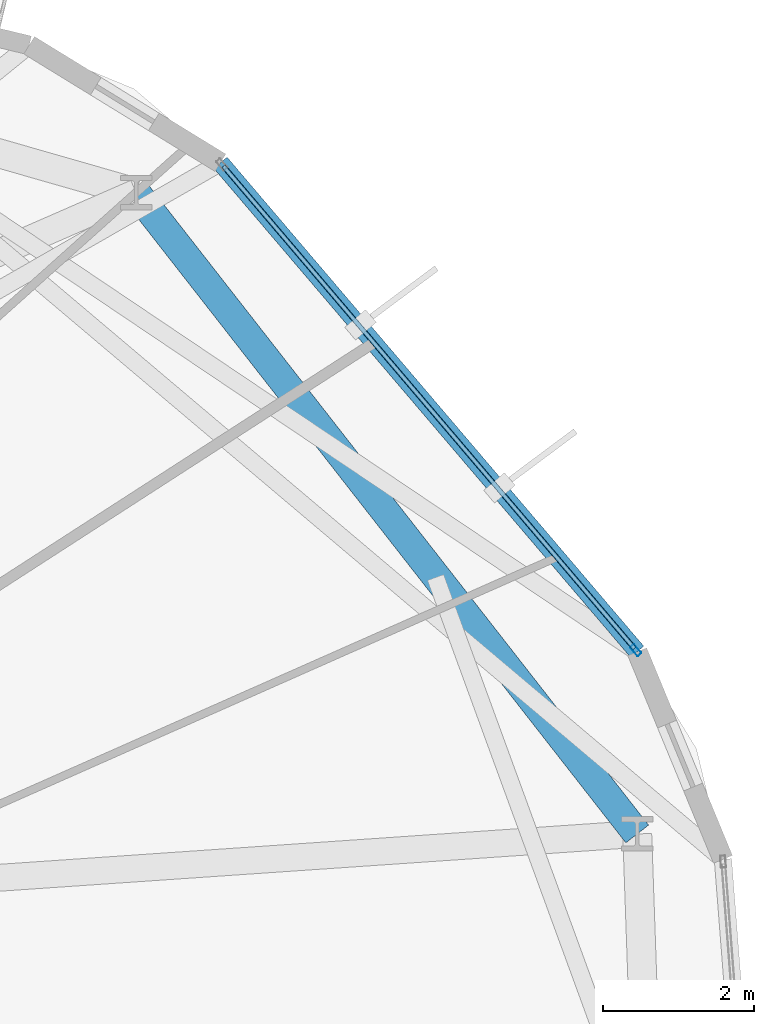
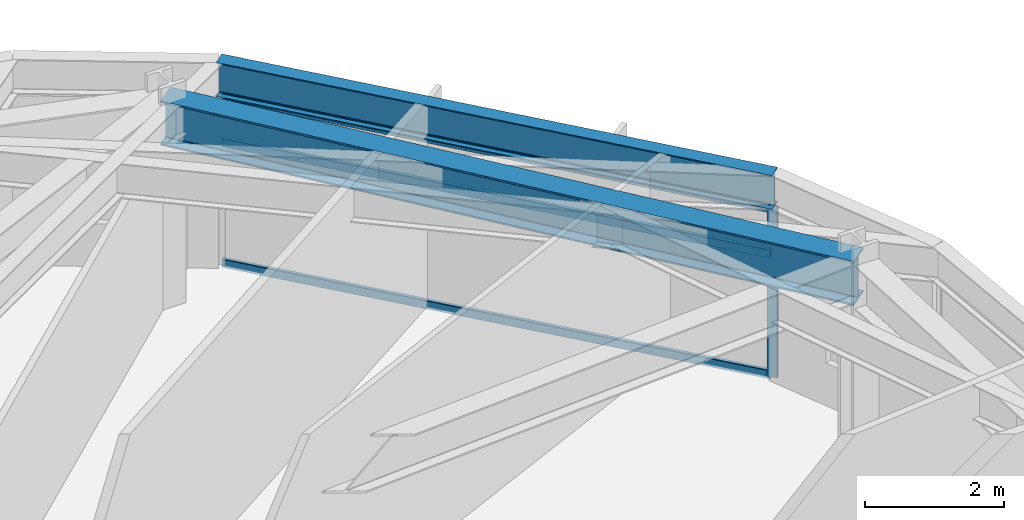
# One storey, part 11 of 21: 4 members, 2 beams, 1 element without a shape of its own.
"""IFC4 building model written with IfcOpenShell, lengths in metres."""

from ifc_helpers import new_model, si_unit, direction, frame, origin, origin_2d, place, context, subcontext, project, spatial, hollow_rectangle, i_section, extrude, material, layer, layer_set, material_profile, profile_set, type_object, element, aggregate, save


model = new_model("IFC4")

# Units and contexts
model_context = context("Model", 3, precision=1e-05, world=origin(), true_north=direction((0.0, 1.0)))
body_context = subcontext(model_context, "Body", "Model", "MODEL_VIEW")
ifc_project = project(units=[si_unit("LENGTHUNIT", "METRE"), si_unit("AREAUNIT", "SQUARE_METRE"), si_unit("VOLUMEUNIT", "CUBIC_METRE"), si_unit("PLANEANGLEUNIT", "RADIAN"), si_unit("MASSUNIT", "GRAM", prefix="KILO")], contexts=[model_context])

# Site, building, storey
site_placement = place(None, origin())
site = spatial("IfcSite", under=ifc_project, at=site_placement, CompositionType="ELEMENT")
building_placement = place(site_placement, origin())
building = spatial("IfcBuilding", under=site, at=building_placement, Name="Soratama Intermodal Tower", CompositionType="ELEMENT")
storey_placement = place(building_placement, frame((0.0, 0.0, 114.699951171875)))
storey = spatial("IfcBuildingStorey", under=building, at=storey_placement, Name="L27", CompositionType="ELEMENT", Elevation=114.699951171875)

# Beams
ifc_material_1 = material(Name="Structural steel ASTM A992 Grade 50", Category="steel")
ifc_material_profile_1 = material_profile(ifc_material_1, i_section(OverallWidth=0.382080078125, OverallDepth=0.779052734375, WebThickness=0.01806640625, FlangeThickness=0.030029296875, FilletRadius=0.01806640625, at=origin_2d()), Name="W30X191")
ifc_profile_set_1 = profile_set([ifc_material_profile_1], Name="Structural steel ASTM A992 Grade 50")
beam_type_1 = type_object("IfcBeamType", Name="BM-RING-W30X191", PredefinedType="BEAM", material=ifc_profile_set_1)
beam_1_placement = place(storey_placement, frame((61.35107421875, 30.950927734375, 3.21044921875), z_axis=(-0.615683690883, 0.787993396407, 0.0), x_axis=(-0.787993396407, -0.615683690883, 0.0)))
element("IfcBeam", 1, at=beam_1_placement, inside=storey, type_object=beam_type_1, Name="BM-L27-RING-01", PredefinedType="BEAM", context=body_context, shape_type="SweptSolid", body=[
    extrude(i_section(OverallWidth=0.382080078125, OverallDepth=0.779052734375, WebThickness=0.01806640625, FlangeThickness=0.030029296875, FilletRadius=0.01806640625, at=origin_2d()), origin(), (0.0, 0.0, 1.0), 10.754150390625),
])
ifc_material_2 = material(Name="Structural steel ASTM A992 Grade 50", Category="steel")
ifc_material_profile_2 = material_profile(ifc_material_2, i_section(OverallWidth=0.22900390625, OverallDepth=0.612060546875, WebThickness=0.011962890625, FlangeThickness=0.01953125, FilletRadius=0.012939453125, at=origin_2d()), Name="W24X84")
ifc_profile_set_2 = profile_set([ifc_material_profile_2], Name="Structural steel ASTM A992 Grade 50")
beam_type_2 = type_object("IfcBeamType", Name="BM-SPN-W24X84", PredefinedType="SPANDREL", material=ifc_profile_set_2)
beam_2_placement = place(storey_placement, frame((61.35107421875, 33.35791015625, 3.2939453125), z_axis=(-0.648621964834, 0.761110732243, 0.0), x_axis=(-0.761110732243, -0.648621964834, 0.0)))
element("IfcBeam", 2, at=beam_2_placement, inside=storey, type_object=beam_type_2, Name="BS-L27-F01", PredefinedType="SPANDREL", context=body_context, shape_type="SweptSolid", body=[
    extrude(i_section(OverallWidth=0.22900390625, OverallDepth=0.612060546875, WebThickness=0.011962890625, FlangeThickness=0.01953125, FilletRadius=0.012939453125, at=origin_2d()), origin(), (0.0, 0.0, 1.0), 8.490478515625),
])

# Curtain wall, members
ifc_material_3 = material(Name="Double-glazed aluminium curtain wall", Category="aluminium")
ifc_layer = layer(ifc_material_3, 0.159912109375)
ifc_layer_set = layer_set([ifc_layer], Name="Double-glazed aluminium curtain wall")
curtain_wall_type = type_object("IfcCurtainWallType", Name="CW-SYS-3", PredefinedType="NOTDEFINED", material=ifc_layer_set)
curtain_wall_placement = place(storey_placement, origin())
curtain_wall = element("IfcCurtainWall", 3, at=curtain_wall_placement, inside=storey, type_object=curtain_wall_type, Name="L27 Faceted Curtain Wall F01", PredefinedType="NOTDEFINED")
ifc_material_4 = material(Name="Anodised aluminium AA 6063-T6", Category="aluminium")
ifc_material_profile_3 = material_profile(ifc_material_4, hollow_rectangle(XDim=0.070068359375, YDim=0.159912109375, WallThickness=0.0048828125, InnerFilletRadius=0.0048828125, OuterFilletRadius=0.010009765625, at=origin_2d()), Name="CWM160X70X5")
ifc_profile_set_3 = profile_set([ifc_material_profile_3], Name="Anodised aluminium AA 6063-T6")
member_type_1 = type_object("IfcMemberType", Name="MT-CWM-3", PredefinedType="MULLION", material=ifc_profile_set_3)
member_1_placement = place(storey_placement, frame((61.33203125, 33.380615234375, 0.0), z_axis=(0.0, 0.0, 1.0), x_axis=(-0.761087528491, -0.648649191763, 0.0)))
member_1 = element("IfcMember", 4, at=member_1_placement, type_object=member_type_1, Name="CW-3 mullion 1", PredefinedType="MULLION", context=body_context, shape_type="SweptSolid", body=[
    extrude(hollow_rectangle(XDim=0.070068359375, YDim=0.159912109375, WallThickness=0.0048828125, InnerFilletRadius=0.0048828125, OuterFilletRadius=0.010009765625, at=origin_2d()), origin(), (0.0, 0.0, 1.0), 2.97900390625),
])
ifc_material_5 = material(Name="Anodised aluminium AA 6063-T6", Category="aluminium")
ifc_material_profile_4 = material_profile(ifc_material_5, hollow_rectangle(XDim=0.06494140625, YDim=0.14990234375, WallThickness=0.0048828125, InnerFilletRadius=0.0048828125, OuterFilletRadius=0.010009765625, at=origin_2d()), Name="CWT150X65X5")
ifc_profile_set_4 = profile_set([ifc_material_profile_4], Name="Anodised aluminium AA 6063-T6")
member_type_2 = type_object("IfcMemberType", Name="TT-CWT-1", PredefinedType="USERDEFINED", material=ifc_profile_set_4)
member_2_placement = place(storey_placement, frame((61.3125, 33.4033203125, 0.030029296875), z_axis=(-0.648636701785, 0.761098173101, 0.0), x_axis=(-0.761098173101, -0.648636701785, 0.0)))
member_2 = element("IfcMember", 5, at=member_2_placement, type_object=member_type_2, Name="CW-3 transom 1.1", ObjectType="TRANSOM", PredefinedType="USERDEFINED", context=body_context, shape_type="SweptSolid", body=[
    extrude(hollow_rectangle(XDim=0.06494140625, YDim=0.14990234375, WallThickness=0.0048828125, InnerFilletRadius=0.0048828125, OuterFilletRadius=0.010009765625, at=origin_2d()), origin(), (0.0, 0.0, 1.0), 8.370849609375),
])
member_3_placement = place(storey_placement, frame((61.3125, 33.4033203125, 2.150146484375), z_axis=(-0.648636701785, 0.761098173101, 0.0), x_axis=(-0.761098173101, -0.648636701785, 0.0)))
member_3 = element("IfcMember", 6, at=member_3_placement, type_object=member_type_2, Name="CW-3 transom 1.2", ObjectType="TRANSOM", PredefinedType="USERDEFINED", context=body_context, shape_type="SweptSolid", body=[
    extrude(hollow_rectangle(XDim=0.06494140625, YDim=0.14990234375, WallThickness=0.0048828125, InnerFilletRadius=0.0048828125, OuterFilletRadius=0.010009765625, at=origin_2d()), origin(), (0.0, 0.0, 1.0), 8.370849609375),
])
member_4_placement = place(storey_placement, frame((61.3125, 33.4033203125, 2.948974609375), z_axis=(-0.648636701785, 0.761098173101, 0.0), x_axis=(-0.761098173101, -0.648636701785, 0.0)))
member_4 = element("IfcMember", 7, at=member_4_placement, type_object=member_type_2, Name="CW-3 transom 1.3", ObjectType="TRANSOM", PredefinedType="USERDEFINED", context=body_context, shape_type="SweptSolid", body=[
    extrude(hollow_rectangle(XDim=0.06494140625, YDim=0.14990234375, WallThickness=0.0048828125, InnerFilletRadius=0.0048828125, OuterFilletRadius=0.010009765625, at=origin_2d()), origin(), (0.0, 0.0, 1.0), 8.370849609375),
])
aggregate(curtain_wall, [member_1, member_2, member_3, member_4])

save(model, "model.ifc")
